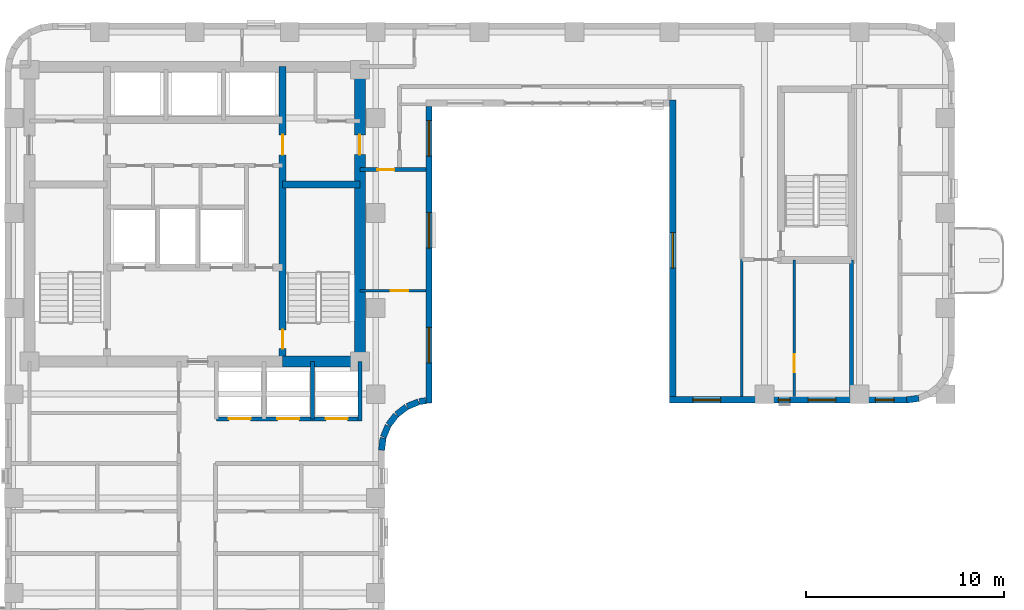
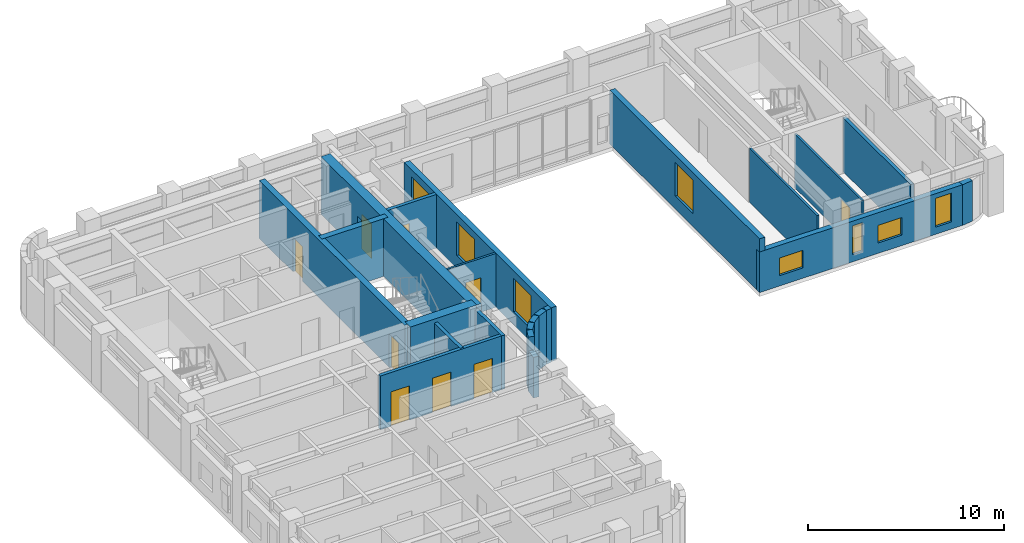
# One storey, part 6 of 11: 22 walls, 9 doors, 8 windows, 17 openings.
"""IFC4 building model written with IfcOpenShell, lengths in metres."""

from ifc_helpers import new_model, si_unit, direction, frame, frame_2d, origin, place, context, subcontext, project, spatial, rectangle, extrude, material, layer, layer_set, type_object, element, fill, save


model = new_model("IFC4")

# Units and contexts
model_context = context("Model", 3, precision=1e-05, world=origin(), true_north=direction((0.0, 1.0)))
body_context = subcontext(model_context, "Body", "Model", "MODEL_VIEW")
ifc_project = project(units=[si_unit("LENGTHUNIT", "METRE"), si_unit("AREAUNIT", "SQUARE_METRE"), si_unit("VOLUMEUNIT", "CUBIC_METRE"), si_unit("PLANEANGLEUNIT", "RADIAN"), si_unit("MASSUNIT", "GRAM", prefix="KILO")], contexts=[model_context])

# Site, building, storey
site_placement = place(None, origin())
site = spatial("IfcSite", under=ifc_project, at=site_placement, CompositionType="ELEMENT")
building_placement = place(site_placement, origin())
building = spatial("IfcBuilding", under=site, at=building_placement, Name="Orvandelia Arch Residences", CompositionType="ELEMENT")
storey_placement = place(building_placement, frame((0.0, 0.0, 172.0)))
storey = spatial("IfcBuildingStorey", under=building, at=storey_placement, Name="L45", CompositionType="ELEMENT", Elevation=172.0)

# Wall, openings, doors
ifc_material_1 = material(Name="Concrete C50/60", Category="concrete")
ifc_layer_1 = layer(ifc_material_1, 0.35009765625, Name="Concrete C50/60", Category="concrete")
ifc_layer_set_1 = layer_set([ifc_layer_1], Name="Concrete C50/60")
wall_type_1 = type_object("IfcWallType", Name="WL-CORE-350", PredefinedType="SHEAR", material=ifc_layer_set_1)
wall_1_placement = place(storey_placement, frame((18.840087890625, 30.89990234375, 0.0), z_axis=(0.0, 0.0, 1.0), x_axis=(0.0, 1.0, 0.0)))
wall_1 = element("IfcWall", 1, at=wall_1_placement, inside=storey, type_object=wall_type_1, Name="Core Shear Wall L45-WEB2", PredefinedType="SHEAR", context=body_context, shape_type="SweptSolid", body=[
    extrude(rectangle(XDim=14.900146484375, YDim=0.35009765625, at=frame_2d((7.4501953125, 0.0))), origin(), (0.0, 0.0, 1.0), 3.60009765625),
])
opening_1_placement = place(wall_1_placement, frame((0.64990234375, 0.0, 0.0)))
opening_1 = element("IfcOpeningElement", 2, at=opening_1_placement, cuts=wall_1, Name="Opening D7", PredefinedType="OPENING", context=body_context, shape_type="SweptSolid", body=[
    extrude(rectangle(XDim=0.949951171875, YDim=2.10009765625, at=frame_2d((0.47509765625, 1.050048828125))), frame((0.0, 0.18505859375, 0.0), z_axis=(0.0, -1.0, 0.0), x_axis=(1.0, 0.0, 0.0)), (0.0, 0.0, 1.0), 0.3701171875),
])
opening_2_placement = place(wall_1_placement, frame((10.449951171875, 0.0, 0.0)))
opening_2 = element("IfcOpeningElement", 3, at=opening_2_placement, cuts=wall_1, Name="Opening D6", PredefinedType="OPENING", context=body_context, shape_type="SweptSolid", body=[
    extrude(rectangle(XDim=1.0, YDim=2.14990234375, at=frame_2d((0.5, 1.074951171875))), frame((0.0, 0.18505859375, 0.0), z_axis=(0.0, -1.0, 0.0), x_axis=(1.0, 0.0, 0.0)), (0.0, 0.0, 1.0), 0.3701171875),
])
ifc_material_2 = material(Name="Smokeproof Painted Steel Fire Door", Category="steel")
door_type_1 = type_object("IfcDoorType", Name="DR-FD60-1000", OperationType="NOTDEFINED", PredefinedType="DOOR", material=ifc_material_2)
door_1_placement = place(opening_2_placement, origin())
door_1 = element("IfcDoor", 4, at=door_1_placement, inside=storey, type_object=door_type_1, Name="High-Rise Lift Hall East Vestibule Door L45", OperationType="SINGLE_SWING_RIGHT", OverallHeight=2.14990234375, OverallWidth=1.0, PredefinedType="DOOR", context=body_context, shape_type="SweptSolid", body=[
    extrude(rectangle(XDim=1.0, YDim=2.14990234375, at=frame_2d((0.5, 1.074951171875))), frame((0.0, 0.02490234375, 0.0), z_axis=(0.0, -1.0, 0.0), x_axis=(1.0, 0.0, 0.0)), (0.0, 0.0, 1.0), 0.050048828125),
])
fill(opening_2, door_1)
ifc_material_3 = material(Name="Pressurised Stairwell Fire Door")
door_type_2 = type_object("IfcDoorType", Name="DR-STAIR-950", OperationType="NOTDEFINED", PredefinedType="DOOR", material=ifc_material_3)
door_2_placement = place(opening_1_placement, origin())
door_2 = element("IfcDoor", 5, at=door_2_placement, inside=storey, type_object=door_type_2, Name="Stairwell ST-2 Fire Door L45", OperationType="SINGLE_SWING_RIGHT", OverallHeight=2.10009765625, OverallWidth=0.949951171875, PredefinedType="DOOR", context=body_context, shape_type="SweptSolid", body=[
    extrude(rectangle(XDim=0.949951171875, YDim=2.10009765625, at=frame_2d((0.47509765625, 1.050048828125))), frame((0.0, 0.02490234375, 0.0), z_axis=(0.0, -1.0, 0.0), x_axis=(1.0, 0.0, 0.0)), (0.0, 0.0, 1.0), 0.050048828125),
])
fill(opening_1, door_2)

# Wall
wall_2_placement = place(storey_placement, frame((18.840087890625, 39.85009765625, 0.0), z_axis=(0.0, 0.0, 1.0), x_axis=(1.0, 0.0, 0.0)))
element("IfcWall", 6, at=wall_2_placement, inside=storey, type_object=wall_type_1, Name="Core Shear Wall L45-HZ2", PredefinedType="SHEAR", context=body_context, shape_type="SweptSolid", body=[
    extrude(rectangle(XDim=3.909912109375, YDim=0.35009765625, at=frame_2d((1.955078125, 0.0))), origin(), (0.0, 0.0, 1.0), 3.60009765625),
])

# Wall, opening, door
ifc_material_4 = material(Name="Concrete C60/75", Category="concrete")
ifc_layer_2 = layer(ifc_material_4, 0.550048828125, Name="Concrete C60/75", Category="concrete")
ifc_layer_set_2 = layer_set([ifc_layer_2], Name="Concrete C60/75")
wall_type_2 = type_object("IfcWallType", Name="WL-CORE-550", PredefinedType="SHEAR", material=ifc_layer_set_2)
wall_3_placement = place(storey_placement, frame((22.75, 30.625, 0.0), z_axis=(0.0, 0.0, 1.0), x_axis=(0.0, 1.0, 0.0)))
wall_3 = element("IfcWall", 7, at=wall_3_placement, inside=storey, type_object=wall_type_2, Name="Core Shear Wall L45-E", PredefinedType="SHEAR", context=body_context, shape_type="SweptSolid", body=[
    extrude(rectangle(XDim=15.449951171875, YDim=0.550048828125, at=frame_2d((7.72509765625, 0.0))), origin(), (0.0, 0.0, 1.0), 3.60009765625),
])
opening_3_placement = place(wall_3_placement, frame((10.72509765625, 0.0, 0.0)))
opening_3 = element("IfcOpeningElement", 8, at=opening_3_placement, cuts=wall_3, Name="Opening D6", PredefinedType="OPENING", context=body_context, shape_type="SweptSolid", body=[
    extrude(rectangle(XDim=1.0, YDim=2.14990234375, at=frame_2d((0.5, 1.074951171875))), frame((0.0, 0.28515625, 0.0), z_axis=(0.0, -1.0, 0.0), x_axis=(1.0, 0.0, 0.0)), (0.0, 0.0, 1.0), 0.570068359375),
])
door_3_placement = place(opening_3_placement, origin())
door_3 = element("IfcDoor", 9, at=door_3_placement, inside=storey, type_object=door_type_1, Name="Core East Corridor Link Door L45", OperationType="SINGLE_SWING_LEFT", OverallHeight=2.14990234375, OverallWidth=1.0, PredefinedType="DOOR", context=body_context, shape_type="SweptSolid", body=[
    extrude(rectangle(XDim=1.0, YDim=2.14990234375, at=frame_2d((0.5, 1.074951171875))), frame((0.0, 0.02490234375, 0.0), z_axis=(0.0, -1.0, 0.0), x_axis=(1.0, 0.0, 0.0)), (0.0, 0.0, 1.0), 0.050048828125),
])
fill(opening_3, door_3)

# Wall
wall_4_placement = place(storey_placement, frame((18.840087890625, 30.89990234375, 0.0), z_axis=(0.0, 0.0, 1.0), x_axis=(1.0, 0.0, 0.0)))
element("IfcWall", 10, at=wall_4_placement, inside=storey, type_object=wall_type_2, Name="Core Shear Wall L45-SE", PredefinedType="SHEAR", context=body_context, shape_type="SweptSolid", body=[
    extrude(rectangle(XDim=3.909912109375, YDim=0.550048828125, at=frame_2d((1.955078125, 0.0))), origin(), (0.0, 0.0, 1.0), 3.60009765625),
])

# Wall, opening, door
ifc_material_5 = material(Name="Fire-Rated Corridor Partition")
ifc_layer_3 = layer(ifc_material_5, 0.199951171875, Name="Fire-Rated Corridor Partition")
ifc_layer_set_3 = layer_set([ifc_layer_3], Name="Fire-Rated Corridor Partition")
wall_type_3 = type_object("IfcWallType", Name="WL-CORR-200", PredefinedType="PARTITIONING", material=ifc_layer_set_3)
wall_5_placement = place(storey_placement, frame((22.75, 40.60009765625, 0.0), z_axis=(0.0, 0.0, 1.0), x_axis=(1.0, 0.0, 0.0)))
wall_5 = element("IfcWall", 11, at=wall_5_placement, inside=storey, type_object=wall_type_3, Name="Interior Partition Wall WL-L45-ENP-LS", PredefinedType="PARTITIONING", context=body_context, shape_type="SweptSolid", body=[
    extrude(rectangle(XDim=3.330078125, YDim=0.199951171875, at=frame_2d((1.6650390625, 0.0))), origin(), (0.0, 0.0, 1.0), 3.360107421875),
])
opening_4_placement = place(wall_5_placement, frame((0.8798828125, 0.0, 0.0)))
opening_4 = element("IfcOpeningElement", 12, at=opening_4_placement, cuts=wall_5, Name="Opening D4", PredefinedType="OPENING", context=body_context, shape_type="SweptSolid", body=[
    extrude(rectangle(XDim=0.860107421875, YDim=2.10009765625, at=frame_2d((0.43017578125, 1.050048828125))), frame((0.0, 0.10986328125, 0.0), z_axis=(0.0, -1.0, 0.0), x_axis=(1.0, 0.0, 0.0)), (0.0, 0.0, 1.0), 0.219970703125),
])
ifc_material_6 = material(Name="Moisture-Sealed Timber Bathroom Door", Category="wood")
door_type_3 = type_object("IfcDoorType", Name="DR-WET-900", OperationType="NOTDEFINED", PredefinedType="DOOR", material=ifc_material_6)
door_4_placement = place(opening_4_placement, origin())
door_4 = element("IfcDoor", 13, at=door_4_placement, inside=storey, type_object=door_type_3, Name="DR-L45-VPWL2", OperationType="SINGLE_SWING_RIGHT", OverallHeight=2.10009765625, OverallWidth=0.860107421875, PredefinedType="DOOR", context=body_context, shape_type="SweptSolid", body=[
    extrude(rectangle(XDim=0.860107421875, YDim=2.10009765625, at=frame_2d((0.43017578125, 1.050048828125))), frame((0.0, 0.02490234375, 0.0), z_axis=(0.0, -1.0, 0.0), x_axis=(1.0, 0.0, 0.0)), (0.0, 0.0, 1.0), 0.050048828125),
])
fill(opening_4, door_4)

# Walls
ifc_material_7 = material(Name="Concrete C40/50", Category="concrete")
ifc_layer_4 = layer(ifc_material_7, 0.199951171875, Name="Concrete C40/50", Category="concrete")
ifc_layer_set_4 = layer_set([ifc_layer_4], Name="Concrete C40/50")
wall_type_4 = type_object("IfcWallType", Name="WL-DEM-200", PredefinedType="SOLIDWALL", material=ifc_layer_set_4)
wall_6_placement = place(storey_placement, frame((47.60009765625, 29.1201171875, 0.0), z_axis=(0.0, 0.0, 1.0), x_axis=(0.0, 1.0, 0.0)))
element("IfcWall", 14, at=wall_6_placement, inside=storey, type_object=wall_type_4, Name="Interior Partition Wall WL-L45-VPS3-E", PredefinedType="SOLIDWALL", context=body_context, shape_type="SweptSolid", body=[
    extrude(rectangle(XDim=6.919921875, YDim=0.199951171875, at=frame_2d((3.4599609375, 0.0))), origin(), (0.0, 0.0, 1.0), 3.360107421875),
])
ifc_material_8 = material(Name="Precast concrete C40/50", Category="concrete")
ifc_layer_5 = layer(ifc_material_8, 0.320068359375, Name="Precast concrete C40/50", Category="concrete")
ifc_layer_set_5 = layer_set([ifc_layer_5], Name="Precast concrete C40/50")
wall_type_5 = type_object("IfcWallType", Name="WL-EXT-STONE-320", PredefinedType="STANDARD", material=ifc_layer_set_5)
wall_7_placement = place(storey_placement, frame((51.000244140625, 29.040283203125, 0.0), z_axis=(0.0, 0.0, 1.0), x_axis=(-0.9914410257, -0.130555323746, 0.0)))
element("IfcWall", 15, at=wall_7_placement, inside=storey, type_object=wall_type_5, Name="Coral-Limestone Precast Facade Wall L45-020", PredefinedType="STANDARD", context=body_context, shape_type="SweptSolid", body=[
    extrude(rectangle(XDim=0.62646484375, YDim=0.320068359375, at=frame_2d((0.313232421875, 0.0))), origin(), (0.0, 0.0, 1.0), 2.5400390625),
])

# Wall, openings, windows
wall_8_placement = place(storey_placement, frame((50.39990234375, 28.9599609375, 0.0), z_axis=(0.0, 0.0, 1.0), x_axis=(-1.0, 0.0, 0.0)))
wall_8 = element("IfcWall", 16, at=wall_8_placement, inside=storey, type_object=wall_type_5, Name="Coral-Limestone Precast Facade Wall L45-021", PredefinedType="STANDARD", context=body_context, shape_type="SweptSolid", body=[
    extrude(rectangle(XDim=12.0, YDim=0.320068359375, at=frame_2d((6.0, 0.0))), origin(), (0.0, 0.0, 1.0), 2.5400390625),
])
opening_5_placement = place(wall_8_placement, frame((0.656005859375, 0.0, 0.449951171875)))
opening_5 = element("IfcOpeningElement", 17, at=opening_5_placement, cuts=wall_8, Name="Opening W4", PredefinedType="OPENING", context=body_context, shape_type="SweptSolid", body=[
    extrude(rectangle(XDim=0.949951171875, YDim=1.800048828125, at=frame_2d((0.47509765625, 0.89990234375))), frame((0.0, 0.169921875, 0.0), z_axis=(0.0, -1.0, 0.0), x_axis=(1.0, 0.0, 0.0)), (0.0, 0.0, 1.0), 0.340087890625),
])
opening_6_placement = place(wall_8_placement, frame((9.425048828125, 0.0, 0.64990234375)))
opening_6 = element("IfcOpeningElement", 18, at=opening_6_placement, cuts=wall_8, Name="Opening W10", PredefinedType="OPENING", context=body_context, shape_type="SweptSolid", body=[
    extrude(rectangle(XDim=1.39990234375, YDim=1.10009765625, at=frame_2d((0.699951171875, 0.550048828125))), frame((0.0, 0.169921875, 0.0), z_axis=(0.0, -1.0, 0.0), x_axis=(1.0, 0.0, 0.0)), (0.0, 0.0, 1.0), 0.340087890625),
])
opening_7_placement = place(wall_8_placement, frame((5.902587890625, 0.0, 0.449951171875)))
opening_7 = element("IfcOpeningElement", 19, at=opening_7_placement, cuts=wall_8, Name="Opening W12", PredefinedType="OPENING", context=body_context, shape_type="SweptSolid", body=[
    extrude(rectangle(XDim=0.60009765625, YDim=1.800048828125, at=frame_2d((0.300048828125, 0.89990234375))), frame((0.0, 0.169921875, 0.0), z_axis=(0.0, -1.0, 0.0), x_axis=(1.0, 0.0, 0.0)), (0.0, 0.0, 1.0), 0.340087890625),
])
opening_8_placement = place(wall_8_placement, frame((3.597412109375, 0.0, 0.64990234375)))
opening_8 = element("IfcOpeningElement", 20, at=opening_8_placement, cuts=wall_8, Name="Opening W10", PredefinedType="OPENING", context=body_context, shape_type="SweptSolid", body=[
    extrude(rectangle(XDim=1.39990234375, YDim=1.10009765625, at=frame_2d((0.699951171875, 0.550048828125))), frame((0.0, 0.169921875, 0.0), z_axis=(0.0, -1.0, 0.0), x_axis=(1.0, 0.0, 0.0)), (0.0, 0.0, 1.0), 0.340087890625),
])
ifc_material_9 = material(Name="Tempered Low-E Insulated Glazing", Category="glass")
window_type_1 = type_object("IfcWindowType", Name="WIN-CLR-1400x1100", PartitioningType="SINGLE_PANEL", PredefinedType="WINDOW", material=ifc_material_9)
window_1_placement = place(opening_6_placement, origin())
window_1 = element("IfcWindow", 21, at=window_1_placement, inside=storey, type_object=window_type_1, Name="Recessed Punched Window L45-008", OverallHeight=1.10009765625, OverallWidth=1.39990234375, PartitioningType="SINGLE_PANEL", PredefinedType="WINDOW", context=body_context, shape_type="SweptSolid", body=[
    extrude(rectangle(XDim=1.39990234375, YDim=1.10009765625, at=frame_2d((0.699951171875, 0.550048828125))), frame((0.0, 0.030029296875, 0.0), z_axis=(0.0, -1.0, 0.0), x_axis=(1.0, 0.0, 0.0)), (0.0, 0.0, 1.0), 0.06005859375),
])
fill(opening_6, window_1)
window_2_placement = place(opening_8_placement, origin())
window_2 = element("IfcWindow", 22, at=window_2_placement, inside=storey, type_object=window_type_1, Name="Recessed Punched Window L45-010", OverallHeight=1.10009765625, OverallWidth=1.39990234375, PartitioningType="SINGLE_PANEL", PredefinedType="WINDOW", context=body_context, shape_type="SweptSolid", body=[
    extrude(rectangle(XDim=1.39990234375, YDim=1.10009765625, at=frame_2d((0.699951171875, 0.550048828125))), frame((0.0, 0.030029296875, 0.0), z_axis=(0.0, -1.0, 0.0), x_axis=(1.0, 0.0, 0.0)), (0.0, 0.0, 1.0), 0.06005859375),
])
fill(opening_8, window_2)
window_type_2 = type_object("IfcWindowType", Name="WIN-LAN-0600x1800", PartitioningType="SINGLE_PANEL", PredefinedType="WINDOW", material=ifc_material_9)
window_3_placement = place(opening_7_placement, origin())
window_3 = element("IfcWindow", 23, at=window_3_placement, inside=storey, type_object=window_type_2, Name="Recessed Punched Window L45-009", OverallHeight=1.800048828125, OverallWidth=0.60009765625, PartitioningType="SINGLE_PANEL", PredefinedType="WINDOW", context=body_context, shape_type="SweptSolid", body=[
    extrude(rectangle(XDim=0.60009765625, YDim=1.800048828125, at=frame_2d((0.300048828125, 0.89990234375))), frame((0.0, 0.030029296875, 0.0), z_axis=(0.0, -1.0, 0.0), x_axis=(1.0, 0.0, 0.0)), (0.0, 0.0, 1.0), 0.06005859375),
])
fill(opening_7, window_3)
window_type_3 = type_object("IfcWindowType", Name="WIN-RES-0950x1800", PartitioningType="SINGLE_PANEL", PredefinedType="WINDOW", material=ifc_material_9)
window_4_placement = place(opening_5_placement, origin())
window_4 = element("IfcWindow", 24, at=window_4_placement, inside=storey, type_object=window_type_3, Name="Recessed Punched Window L45-007", OverallHeight=1.800048828125, OverallWidth=0.949951171875, PartitioningType="SINGLE_PANEL", PredefinedType="WINDOW", context=body_context, shape_type="SweptSolid", body=[
    extrude(rectangle(XDim=0.949951171875, YDim=1.800048828125, at=frame_2d((0.47509765625, 0.89990234375))), frame((0.0, 0.030029296875, 0.0), z_axis=(0.0, -1.0, 0.0), x_axis=(1.0, 0.0, 0.0)), (0.0, 0.0, 1.0), 0.06005859375),
])
fill(opening_5, window_4)

# Wall, opening, window
wall_9_placement = place(storey_placement, frame((38.56005859375, 28.800048828125, 0.0), z_axis=(0.0, 0.0, 1.0), x_axis=(0.0, 1.0, 0.0)))
wall_9 = element("IfcWall", 25, at=wall_9_placement, inside=storey, type_object=wall_type_5, Name="Coral-Limestone Precast Facade Wall L45-022", PredefinedType="STANDARD", context=body_context, shape_type="SweptSolid", body=[
    extrude(rectangle(XDim=15.320068359375, YDim=0.320068359375, at=frame_2d((7.66015625, 0.0))), origin(), (0.0, 0.0, 1.0), 3.360107421875),
])
opening_9_placement = place(wall_9_placement, frame((6.820068359375, 0.0, 0.800048828125)))
opening_9 = element("IfcOpeningElement", 26, at=opening_9_placement, cuts=wall_9, Name="Opening W1", PredefinedType="OPENING", context=body_context, shape_type="SweptSolid", body=[
    extrude(rectangle(XDim=1.800048828125, YDim=2.10009765625, at=frame_2d((0.89990234375, 1.050048828125))), frame((0.0, 0.169921875, 0.0), z_axis=(0.0, -1.0, 0.0), x_axis=(1.0, 0.0, 0.0)), (0.0, 0.0, 1.0), 0.340087890625),
])
window_type_4 = type_object("IfcWindowType", Name="WIN-RES-1800x2100", PartitioningType="SINGLE_PANEL", PredefinedType="WINDOW", material=ifc_material_9)
window_5_placement = place(opening_9_placement, origin())
window_5 = element("IfcWindow", 27, at=window_5_placement, inside=storey, type_object=window_type_4, Name="Recessed Punched Window L45-011", OverallHeight=2.10009765625, OverallWidth=1.800048828125, PartitioningType="SINGLE_PANEL", PredefinedType="WINDOW", context=body_context, shape_type="SweptSolid", body=[
    extrude(rectangle(XDim=1.800048828125, YDim=2.10009765625, at=frame_2d((0.89990234375, 1.050048828125))), frame((0.0, 0.030029296875, 0.0), z_axis=(0.0, -1.0, 0.0), x_axis=(1.0, 0.0, 0.0)), (0.0, 0.0, 1.0), 0.06005859375),
])
fill(opening_9, window_5)

# Wall, openings, windows
wall_10_placement = place(storey_placement, frame((26.239990234375, 43.800048828125, 0.0), z_axis=(0.0, 0.0, 1.0), x_axis=(0.0, -1.0, 0.0)))
wall_10 = element("IfcWall", 28, at=wall_10_placement, inside=storey, type_object=wall_type_5, Name="Coral-Limestone Precast Facade Wall L45-025", PredefinedType="STANDARD", context=body_context, shape_type="SweptSolid", body=[
    extrude(rectangle(XDim=15.0, YDim=0.320068359375, at=frame_2d((7.5, 0.0))), origin(), (0.0, 0.0, 1.0), 3.360107421875),
])
opening_10_placement = place(wall_10_placement, frame((11.169921875, 0.0, 0.800048828125)))
opening_10 = element("IfcOpeningElement", 29, at=opening_10_placement, cuts=wall_10, Name="Opening W1", PredefinedType="OPENING", context=body_context, shape_type="SweptSolid", body=[
    extrude(rectangle(XDim=1.800048828125, YDim=2.10009765625, at=frame_2d((0.89990234375, 1.050048828125))), frame((0.0, 0.169921875, 0.0), z_axis=(0.0, -1.0, 0.0), x_axis=(1.0, 0.0, 0.0)), (0.0, 0.0, 1.0), 0.340087890625),
])
opening_11_placement = place(wall_10_placement, frame((5.3701171875, 0.0, 0.800048828125)))
opening_11 = element("IfcOpeningElement", 30, at=opening_11_placement, cuts=wall_10, Name="Opening W1", PredefinedType="OPENING", context=body_context, shape_type="SweptSolid", body=[
    extrude(rectangle(XDim=1.800048828125, YDim=2.10009765625, at=frame_2d((0.89990234375, 1.050048828125))), frame((0.0, 0.169921875, 0.0), z_axis=(0.0, -1.0, 0.0), x_axis=(1.0, 0.0, 0.0)), (0.0, 0.0, 1.0), 0.340087890625),
])
opening_12_placement = place(wall_10_placement, frame((0.719970703125, 0.0, 0.800048828125)))
opening_12 = element("IfcOpeningElement", 31, at=opening_12_placement, cuts=wall_10, Name="Opening W1", PredefinedType="OPENING", context=body_context, shape_type="SweptSolid", body=[
    extrude(rectangle(XDim=1.800048828125, YDim=2.10009765625, at=frame_2d((0.89990234375, 1.050048828125))), frame((0.0, 0.169921875, 0.0), z_axis=(0.0, -1.0, 0.0), x_axis=(1.0, 0.0, 0.0)), (0.0, 0.0, 1.0), 0.340087890625),
])
window_6_placement = place(opening_10_placement, origin())
window_6 = element("IfcWindow", 32, at=window_6_placement, inside=storey, type_object=window_type_4, Name="Recessed Punched Window L45-014", OverallHeight=2.10009765625, OverallWidth=1.800048828125, PartitioningType="SINGLE_PANEL", PredefinedType="WINDOW", context=body_context, shape_type="SweptSolid", body=[
    extrude(rectangle(XDim=1.800048828125, YDim=2.10009765625, at=frame_2d((0.89990234375, 1.050048828125))), frame((0.0, 0.030029296875, 0.0), z_axis=(0.0, -1.0, 0.0), x_axis=(1.0, 0.0, 0.0)), (0.0, 0.0, 1.0), 0.06005859375),
])
fill(opening_10, window_6)
window_7_placement = place(opening_11_placement, origin())
window_7 = element("IfcWindow", 33, at=window_7_placement, inside=storey, type_object=window_type_4, Name="Recessed Punched Window L45-015", OverallHeight=2.10009765625, OverallWidth=1.800048828125, PartitioningType="SINGLE_PANEL", PredefinedType="WINDOW", context=body_context, shape_type="SweptSolid", body=[
    extrude(rectangle(XDim=1.800048828125, YDim=2.10009765625, at=frame_2d((0.89990234375, 1.050048828125))), frame((0.0, 0.030029296875, 0.0), z_axis=(0.0, -1.0, 0.0), x_axis=(1.0, 0.0, 0.0)), (0.0, 0.0, 1.0), 0.06005859375),
])
fill(opening_11, window_7)
window_8_placement = place(opening_12_placement, origin())
window_8 = element("IfcWindow", 34, at=window_8_placement, inside=storey, type_object=window_type_4, Name="Recessed Punched Window L45-016", OverallHeight=2.10009765625, OverallWidth=1.800048828125, PartitioningType="SINGLE_PANEL", PredefinedType="WINDOW", context=body_context, shape_type="SweptSolid", body=[
    extrude(rectangle(XDim=1.800048828125, YDim=2.10009765625, at=frame_2d((0.89990234375, 1.050048828125))), frame((0.0, 0.030029296875, 0.0), z_axis=(0.0, -1.0, 0.0), x_axis=(1.0, 0.0, 0.0)), (0.0, 0.0, 1.0), 0.06005859375),
])
fill(opening_12, window_8)

# Walls
wall_11_placement = place(storey_placement, frame((26.081787109375, 28.91943359375, 0.0), z_axis=(0.0, 0.0, 1.0), x_axis=(-0.991512688813, -0.130009953168, 0.0)))
element("IfcWall", 35, at=wall_11_placement, inside=storey, type_object=wall_type_5, Name="Coral-Limestone Precast Facade Wall L45-026", PredefinedType="STANDARD", context=body_context, shape_type="SweptSolid", body=[
    extrude(rectangle(XDim=0.32666015625, YDim=0.320068359375, at=frame_2d((0.163330078125, 0.0))), origin(), (0.0, 0.0, 1.0), 3.360107421875),
])
wall_12_placement = place(storey_placement, frame((25.717529296875, 28.865966796875, 0.0), z_axis=(0.0, 0.0, 1.0), x_axis=(-0.923836271867, -0.382787856107, 0.0)))
element("IfcWall", 36, at=wall_12_placement, inside=storey, type_object=wall_type_5, Name="Coral-Limestone Precast Facade Wall L45-027", PredefinedType="STANDARD", context=body_context, shape_type="SweptSolid", body=[
    extrude(rectangle(XDim=0.626220703125, YDim=0.320068359375, at=frame_2d((0.31298828125, 0.0))), origin(), (0.0, 0.0, 1.0), 3.360107421875),
])
for number, where, z_axis, x_axis, name in (
    (37, (25.1025390625, 28.60546875, 0.0), (0.0, 0.0, 1.0), (-0.793405610854, -0.608693302629, 0.0), "Coral-Limestone Precast Facade Wall L45-028"),
    (38, (24.575927734375, 28.194580078125, 0.0), (0.0, 0.0, 1.0), (-0.608693302629, -0.793405610854, 0.0), "Coral-Limestone Precast Facade Wall L45-029"),
):
    element("IfcWall", number, at=place(storey_placement, frame(where, z_axis=z_axis, x_axis=x_axis)), inside=storey, type_object=wall_type_5, Name=name, PredefinedType="STANDARD", context=body_context, shape_type="SweptSolid", body=[
        extrude(rectangle(XDim=0.62646484375, YDim=0.320068359375, at=frame_2d((0.313232421875, 0.0))), origin(), (0.0, 0.0, 1.0), 3.360107421875),
    ])
wall_13_placement = place(storey_placement, frame((24.173583984375, 27.6611328125, 0.0), z_axis=(0.0, 0.0, 1.0), x_axis=(-0.382455093999, -0.923974080304, 0.0)))
element("IfcWall", 39, at=wall_13_placement, inside=storey, type_object=wall_type_5, Name="Coral-Limestone Precast Facade Wall L45-030", PredefinedType="STANDARD", context=body_context, shape_type="SweptSolid", body=[
    extrude(rectangle(XDim=0.626220703125, YDim=0.320068359375, at=frame_2d((0.31298828125, 0.0))), origin(), (0.0, 0.0, 1.0), 3.360107421875),
])
wall_14_placement = place(storey_placement, frame((23.923095703125, 27.0419921875, 0.0), z_axis=(0.0, 0.0, 1.0), x_axis=(-0.130555323746, -0.9914410257, 0.0)))
element("IfcWall", 40, at=wall_14_placement, inside=storey, type_object=wall_type_5, Name="Coral-Limestone Precast Facade Wall L45-031", PredefinedType="STANDARD", context=body_context, shape_type="SweptSolid", body=[
    extrude(rectangle(XDim=0.62646484375, YDim=0.320068359375, at=frame_2d((0.313232421875, 0.0))), origin(), (0.0, 0.0, 1.0), 2.5400390625),
])

# Wall, opening, door
ifc_material_10 = material(Name="Lightweight Gypsum Stud Partition")
ifc_layer_6 = layer(ifc_material_10, 0.1201171875, Name="Lightweight Gypsum Stud Partition")
ifc_layer_set_6 = layer_set([ifc_layer_6], Name="Lightweight Gypsum Stud Partition")
wall_type_6 = type_object("IfcWallType", Name="WL-PART-120", PredefinedType="PARTITIONING", material=ifc_layer_set_6)
wall_15_placement = place(storey_placement, frame((22.75, 34.47998046875, 0.0), z_axis=(0.0, 0.0, 1.0), x_axis=(1.0, 0.0, 0.0)))
wall_15 = element("IfcWall", 41, at=wall_15_placement, inside=storey, type_object=wall_type_6, Name="Interior Partition Wall WL-L45-VPW-M", PredefinedType="PARTITIONING", context=body_context, shape_type="SweptSolid", body=[
    extrude(rectangle(XDim=3.330078125, YDim=0.1201171875, at=frame_2d((1.6650390625, 0.0))), origin(), (0.0, 0.0, 1.0), 3.360107421875),
])
opening_13_placement = place(wall_15_placement, frame((1.550048828125, 0.0, 0.0)))
opening_13 = element("IfcOpeningElement", 42, at=opening_13_placement, cuts=wall_15, Name="Opening D3", PredefinedType="OPENING", context=body_context, shape_type="SweptSolid", body=[
    extrude(rectangle(XDim=0.89990234375, YDim=2.14990234375, at=frame_2d((0.449951171875, 1.074951171875))), frame((0.0, 0.070068359375, 0.0), z_axis=(0.0, -1.0, 0.0), x_axis=(1.0, 0.0, 0.0)), (0.0, 0.0, 1.0), 0.14013671875),
])
ifc_material_11 = material(Name="Engineered Timber Flush Door", Category="wood")
door_type_4 = type_object("IfcDoorType", Name="DR-INT-900", OperationType="NOTDEFINED", PredefinedType="DOOR", material=ifc_material_11)
door_5_placement = place(opening_13_placement, origin())
door_5 = element("IfcDoor", 43, at=door_5_placement, inside=storey, type_object=door_type_4, Name="DR-L45-VPWL1", OperationType="SINGLE_SWING_LEFT", OverallHeight=2.14990234375, OverallWidth=0.89990234375, PredefinedType="DOOR", context=body_context, shape_type="SweptSolid", body=[
    extrude(rectangle(XDim=0.89990234375, YDim=2.14990234375, at=frame_2d((0.449951171875, 1.074951171875))), frame((0.0, 0.02490234375, 0.0), z_axis=(0.0, -1.0, 0.0), x_axis=(1.0, 0.0, 0.0)), (0.0, 0.0, 1.0), 0.050048828125),
])
fill(opening_13, door_5)

wall_16_placement = place(storey_placement, frame((44.699951171875, 29.1201171875, 0.0), z_axis=(0.0, 0.0, 1.0), x_axis=(0.0, 1.0, 0.0)))
wall_16 = element("IfcWall", 44, at=wall_16_placement, inside=storey, type_object=wall_type_6, Name="Interior Partition Wall WL-L45-VPS3-M", PredefinedType="PARTITIONING", context=body_context, shape_type="SweptSolid", body=[
    extrude(rectangle(XDim=6.919921875, YDim=0.1201171875, at=frame_2d((3.4599609375, 0.0))), origin(), (0.0, 0.0, 1.0), 3.360107421875),
])
opening_14_placement = place(wall_16_placement, frame((1.239990234375, 0.0, 0.0)))
opening_14 = element("IfcOpeningElement", 45, at=opening_14_placement, cuts=wall_16, Name="Opening D3", PredefinedType="OPENING", context=body_context, shape_type="SweptSolid", body=[
    extrude(rectangle(XDim=0.89990234375, YDim=2.14990234375, at=frame_2d((0.449951171875, 1.074951171875))), frame((0.0, 0.070068359375, 0.0), z_axis=(0.0, -1.0, 0.0), x_axis=(1.0, 0.0, 0.0)), (0.0, 0.0, 1.0), 0.14013671875),
])
door_6_placement = place(opening_14_placement, origin())
door_6 = element("IfcDoor", 46, at=door_6_placement, inside=storey, type_object=door_type_4, Name="DR-L45-VPS3B", OperationType="SINGLE_SWING_RIGHT", OverallHeight=2.14990234375, OverallWidth=0.89990234375, PredefinedType="DOOR", context=body_context, shape_type="SweptSolid", body=[
    extrude(rectangle(XDim=0.89990234375, YDim=2.14990234375, at=frame_2d((0.449951171875, 1.074951171875))), frame((0.0, 0.02490234375, 0.0), z_axis=(0.0, -1.0, 0.0), x_axis=(1.0, 0.0, 0.0)), (0.0, 0.0, 1.0), 0.050048828125),
])
fill(opening_14, door_6)

# Wall
wall_17_placement = place(storey_placement, frame((42.050048828125, 29.1201171875, 0.0), z_axis=(0.0, 0.0, 1.0), x_axis=(0.0, 1.0, 0.0)))
element("IfcWall", 47, at=wall_17_placement, inside=storey, type_object=wall_type_6, Name="Interior Partition Wall WL-L45-VPS3-W", PredefinedType="PARTITIONING", context=body_context, shape_type="SweptSolid", body=[
    extrude(rectangle(XDim=6.929931640625, YDim=0.1201171875, at=frame_2d((3.46484375, 0.0))), origin(), (0.0, 0.0, 1.0), 3.360107421875),
])

# Wall, openings, doors
ifc_material_12 = material(Name="Fire-Rated Shaft Enclosure Wall")
ifc_layer_7 = layer(ifc_material_12, 0.199951171875, Name="Fire-Rated Shaft Enclosure Wall")
ifc_layer_set_7 = layer_set([ifc_layer_7], Name="Fire-Rated Shaft Enclosure Wall")
wall_type_7 = type_object("IfcWallType", Name="WL-SHAFT-200", PredefinedType="POLYGONAL", material=ifc_layer_set_7)
wall_18_placement = place(storey_placement, frame((15.5, 28.0, 0.0), z_axis=(0.0, 0.0, 1.0), x_axis=(1.0, 0.0, 0.0)))
wall_18 = element("IfcWall", 48, at=wall_18_placement, inside=storey, type_object=wall_type_7, Name="Interior Partition Wall WL-L45-BNKM-S", PredefinedType="POLYGONAL", context=body_context, shape_type="SweptSolid", body=[
    extrude(rectangle(XDim=7.25, YDim=0.199951171875, at=frame_2d((3.625, 0.0))), origin(), (0.0, 0.0, 1.0), 3.360107421875),
])
opening_15_placement = place(wall_18_placement, frame((0.625, 0.0, 0.0)))
opening_15 = element("IfcOpeningElement", 49, at=opening_15_placement, cuts=wall_18, Name="Opening LD", PredefinedType="OPENING", context=body_context, shape_type="SweptSolid", body=[
    extrude(rectangle(XDim=1.10009765625, YDim=2.14990234375, at=frame_2d((0.550048828125, 1.074951171875))), frame((0.0, 0.10986328125, 0.0), z_axis=(0.0, -1.0, 0.0), x_axis=(1.0, 0.0, 0.0)), (0.0, 0.0, 1.0), 0.219970703125),
])
opening_16_placement = place(wall_18_placement, frame((3.074951171875, 0.0, 0.0)))
opening_16 = element("IfcOpeningElement", 50, at=opening_16_placement, cuts=wall_18, Name="Opening LD", PredefinedType="OPENING", context=body_context, shape_type="SweptSolid", body=[
    extrude(rectangle(XDim=1.10009765625, YDim=2.14990234375, at=frame_2d((0.550048828125, 1.074951171875))), frame((0.0, 0.10986328125, 0.0), z_axis=(0.0, -1.0, 0.0), x_axis=(1.0, 0.0, 0.0)), (0.0, 0.0, 1.0), 0.219970703125),
])
opening_17_placement = place(wall_18_placement, frame((5.52490234375, 0.0, 0.0)))
opening_17 = element("IfcOpeningElement", 51, at=opening_17_placement, cuts=wall_18, Name="Opening LD", PredefinedType="OPENING", context=body_context, shape_type="SweptSolid", body=[
    extrude(rectangle(XDim=1.10009765625, YDim=2.14990234375, at=frame_2d((0.550048828125, 1.074951171875))), frame((0.0, 0.10986328125, 0.0), z_axis=(0.0, -1.0, 0.0), x_axis=(1.0, 0.0, 0.0)), (0.0, 0.0, 1.0), 0.219970703125),
])
ifc_material_13 = material(Name="Brushed Stainless Steel Sliding Lift Door", Category="steel")
door_type_5 = type_object("IfcDoorType", Name="DR-LIFT-1100", OperationType="NOTDEFINED", PredefinedType="DOOR", material=ifc_material_13)
door_7_placement = place(opening_15_placement, origin())
door_7 = element("IfcDoor", 52, at=door_7_placement, inside=storey, type_object=door_type_5, Name="Lift Landing Door LD-PM1", OperationType="SLIDING_TO_LEFT", OverallHeight=2.14990234375, OverallWidth=1.10009765625, PredefinedType="DOOR", context=body_context, shape_type="SweptSolid", body=[
    extrude(rectangle(XDim=1.10009765625, YDim=2.14990234375, at=frame_2d((0.550048828125, 1.074951171875))), frame((0.0, 0.02490234375, 0.0), z_axis=(0.0, -1.0, 0.0), x_axis=(1.0, 0.0, 0.0)), (0.0, 0.0, 1.0), 0.050048828125),
])
fill(opening_15, door_7)
door_8_placement = place(opening_16_placement, origin())
door_8 = element("IfcDoor", 53, at=door_8_placement, inside=storey, type_object=door_type_5, Name="Lift Landing Door LD-PM2", OperationType="SLIDING_TO_RIGHT", OverallHeight=2.14990234375, OverallWidth=1.10009765625, PredefinedType="DOOR", context=body_context, shape_type="SweptSolid", body=[
    extrude(rectangle(XDim=1.10009765625, YDim=2.14990234375, at=frame_2d((0.550048828125, 1.074951171875))), frame((0.0, 0.02490234375, 0.0), z_axis=(0.0, -1.0, 0.0), x_axis=(1.0, 0.0, 0.0)), (0.0, 0.0, 1.0), 0.050048828125),
])
fill(opening_16, door_8)
door_9_placement = place(opening_17_placement, origin())
door_9 = element("IfcDoor", 54, at=door_9_placement, inside=storey, type_object=door_type_5, Name="Lift Landing Door LD-PM3", OperationType="SLIDING_TO_LEFT", OverallHeight=2.14990234375, OverallWidth=1.10009765625, PredefinedType="DOOR", context=body_context, shape_type="SweptSolid", body=[
    extrude(rectangle(XDim=1.10009765625, YDim=2.14990234375, at=frame_2d((0.550048828125, 1.074951171875))), frame((0.0, 0.02490234375, 0.0), z_axis=(0.0, -1.0, 0.0), x_axis=(1.0, 0.0, 0.0)), (0.0, 0.0, 1.0), 0.050048828125),
])
fill(opening_17, door_9)

# Walls
wall_19_placement = place(storey_placement, frame((22.75, 27.89990234375, 0.0), z_axis=(0.0, 0.0, 1.0), x_axis=(0.0, 1.0, 0.0)))
element("IfcWall", 55, at=wall_19_placement, inside=storey, type_object=wall_type_7, Name="Interior Partition Wall WL-L45-BNKM-E", PredefinedType="POLYGONAL", context=body_context, shape_type="SweptSolid", body=[
    extrude(rectangle(XDim=3.0, YDim=0.199951171875, at=frame_2d((1.5, 0.0))), origin(), (0.0, 0.0, 1.0), 3.360107421875),
])
wall_20_placement = place(storey_placement, frame((20.35009765625, 28.0, 0.0), z_axis=(0.0, 0.0, 1.0), x_axis=(0.0, 1.0, 0.0)))
element("IfcWall", 56, at=wall_20_placement, inside=storey, type_object=wall_type_7, Name="Interior Partition Wall WL-L45-BNKMD-2035", PredefinedType="POLYGONAL", context=body_context, shape_type="SweptSolid", body=[
    extrude(rectangle(XDim=2.89990234375, YDim=0.199951171875, at=frame_2d((1.449951171875, 0.0))), origin(), (0.0, 0.0, 1.0), 3.360107421875),
])

save(model, "model.ifc")
